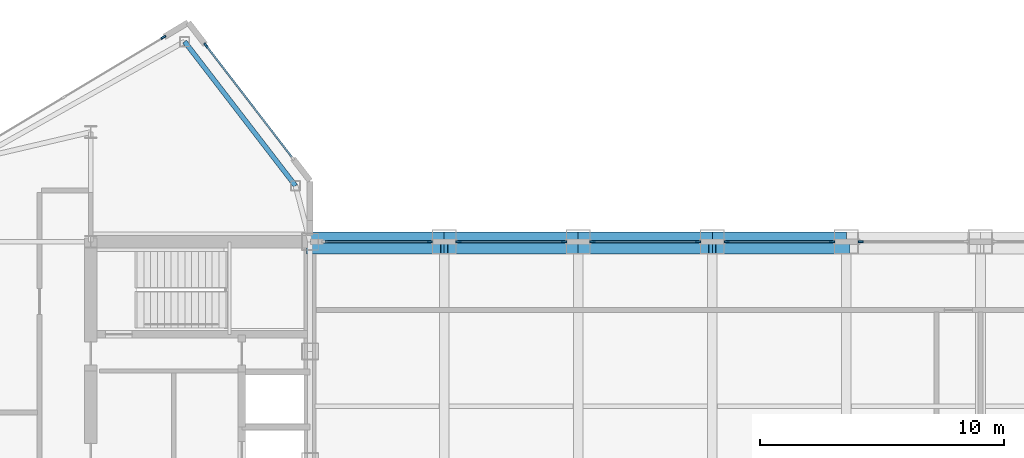
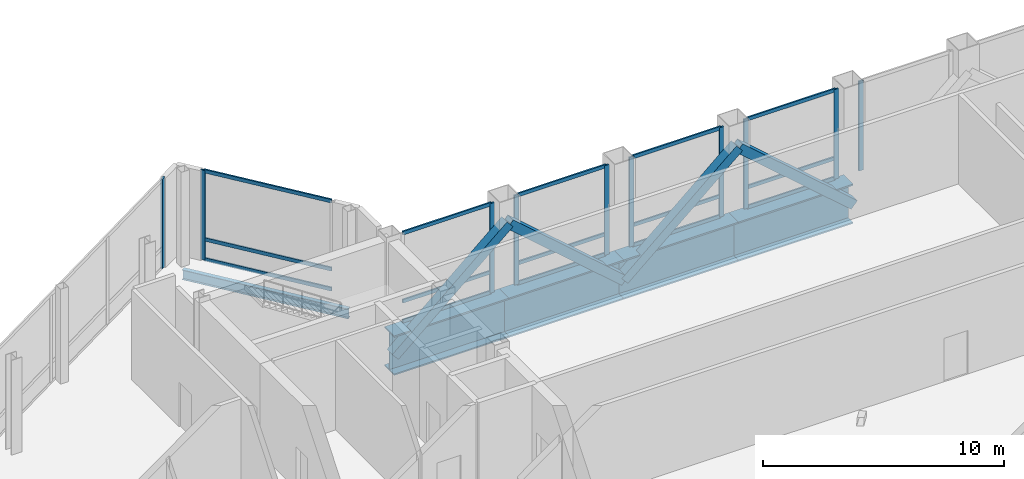
# One storey, part 12 of 29: 29 members, 5 beams, 7 elements without a shape of their own.
"""IFC4 building model written with IfcOpenShell, lengths in metres."""

from ifc_helpers import new_model, si_unit, direction, frame, origin, origin_2d, place, context, subcontext, project, spatial, rectangle, hollow_rectangle, i_section, extrude, source, transform, mapped, material, layer, layer_set, material_profile, profile_set, type_object, type_shapes, element, aggregate, save


model = new_model("IFC4")

# Units and contexts
model_context = context("Model", 3, precision=1e-05, world=origin(), true_north=direction((0.0, 1.0)))
body_context = subcontext(model_context, "Body", "Model", "MODEL_VIEW")
ifc_project = project(units=[si_unit("LENGTHUNIT", "METRE"), si_unit("AREAUNIT", "SQUARE_METRE"), si_unit("VOLUMEUNIT", "CUBIC_METRE"), si_unit("PLANEANGLEUNIT", "RADIAN"), si_unit("MASSUNIT", "GRAM", prefix="KILO")], contexts=[model_context])

# Site, building, storey
site_placement = place(None, origin())
site = spatial("IfcSite", under=ifc_project, at=site_placement, CompositionType="ELEMENT")
building_placement = place(site_placement, origin())
building = spatial("IfcBuilding", under=site, at=building_placement, Name="Seokmaru Belvedere", CompositionType="ELEMENT")
storey_placement = place(building_placement, frame((0.0, 0.0, 229.800048828125)))
storey = spatial("IfcBuildingStorey", under=building, at=storey_placement, Name="L61", CompositionType="ELEMENT", Elevation=229.800048828125)

# Beams
ifc_material_1 = material(Name="Steel SM355 (355 MPa)", Category="steel")
ifc_material_profile_1 = material_profile(ifc_material_1, i_section(OverallWidth=0.199951171875, OverallDepth=0.5, WebThickness=0.010009765625, FlangeThickness=0.01611328125, at=origin_2d()), Name="H-500x200x10x16")
ifc_profile_set_1 = profile_set([ifc_material_profile_1], Name="Steel SM355 (355 MPa)")
beam_type_1 = type_object("IfcBeamType", Name="Perimeter Spandrel Beam H-500", PredefinedType="SPANDREL", material=ifc_profile_set_1)
shared_shape_1 = source(origin(), body_context, "Body", "SweptSolid", [
    extrude(i_section(OverallWidth=0.199951171875, OverallDepth=0.5, WebThickness=0.010009765625, FlangeThickness=0.01611328125, at=origin_2d()), origin(), (0.0, 0.0, 1.0), 7.4619140625),
])
type_shapes(beam_type_1, [shared_shape_1])
beam_placement = place(storey_placement, frame((-32.649658203125, 21.71044921875, -0.510009765625), z_axis=(0.609702854945, -0.792630070507, 0.0), x_axis=(0.792630070507, 0.609702854945, 0.0)))
element("IfcBeam", 1, at=beam_placement, inside=storey, type_object=beam_type_1, Name="L61 W Shoulder Chamfer Spandrel N", PredefinedType="SPANDREL", context=body_context, shape_type="MappedRepresentation", body=[
    mapped(shared_shape_1, transform((0.0, 0.0, 0.0), scale=1.0)),
])
ifc_material_2 = material(Name="Steel HSA650 (650 MPa)", Category="steel")
ifc_material_profile_2 = material_profile(ifc_material_2, i_section(OverallWidth=0.800048828125, OverallDepth=2.0, WebThickness=0.0400390625, FlangeThickness=0.070068359375, at=origin_2d()), Name="BH-2000x800x40x70")
ifc_profile_set_2 = profile_set([ifc_material_profile_2], Name="Steel HSA650 (650 MPa)")
beam_type_2 = type_object("IfcBeamType", Name="Sky-Gate Transfer Truss Chord Girder BH-2000", PredefinedType="BEAM", material=ifc_profile_set_2)
shared_shape_2 = source(origin(), body_context, "Body", "SweptSolid", [
    extrude(i_section(OverallWidth=0.800048828125, OverallDepth=2.0, WebThickness=0.0400390625, FlangeThickness=0.070068359375, at=origin_2d()), origin(), (0.0, 0.0, 1.0), 5.5),
])
type_shapes(beam_type_2, [shared_shape_2])
for number, where, z_axis, x_axis, name in (
    (2, (-27.5, 13.5, -1.260009765625), (1.0, 0.0, 0.0), (0.0, 1.0, 0.0), "L61 Sky-Gate Transfer Truss Chord N-02"),
    (3, (-22.0, 13.5, -1.260009765625), (1.0, 0.0, 0.0), (0.0, 1.0, 0.0), "L61 Sky-Gate Transfer Truss Chord N-03"),
    (4, (-16.5, 13.5, -1.260009765625), (1.0, 0.0, 0.0), (0.0, 1.0, 0.0), "L61 Sky-Gate Transfer Truss Chord N-04"),
    (5, (-11.0, 13.5, -1.260009765625), (1.0, 0.0, 0.0), (0.0, 1.0, 0.0), "L61 Sky-Gate Transfer Truss Chord N-05"),
):
    element("IfcBeam", number, at=place(storey_placement, frame(where, z_axis=z_axis, x_axis=x_axis)), inside=storey, type_object=beam_type_2, Name=name, PredefinedType="BEAM", context=body_context, shape_type="MappedRepresentation", body=[
        mapped(shared_shape_2, transform((0.0, 0.0, 0.0), scale=1.0)),
    ])

# Members
ifc_material_profile_3 = material_profile(ifc_material_2, hollow_rectangle(XDim=0.449951171875, YDim=0.449951171875, WallThickness=0.01806640625, at=origin_2d()), Name="HSS-450x450x18")
ifc_profile_set_3 = profile_set([ifc_material_profile_3], Name="Steel HSA650 (650 MPa)")
member_type_1 = type_object("IfcMemberType", Name="Sky-Gate Transfer Truss Web Diagonal HSS-450", PredefinedType="BRACE", material=ifc_profile_set_3)
shared_shape_3 = source(origin(), body_context, "Body", "SweptSolid", [
    extrude(hollow_rectangle(XDim=0.449951171875, YDim=0.449951171875, WallThickness=0.01806640625, at=origin_2d()), origin(), (0.0, 0.0, 1.0), 7.300048828125),
])
type_shapes(member_type_1, [shared_shape_3])
for number, where, z_axis, x_axis, name in (
    (6, (-27.5, 13.22412109375, -1.260009765625), (0.753421343899, 0.0, 0.65753804343), (0.0, 1.0, 0.0), "L61 Sky-Gate Transfer Truss Web Diagonal N-01"),
    (7, (-22.0, 13.22412109375, 3.5400390625), (0.753421343899, 0.0, -0.65753804343), (0.0, 1.0, 0.0), "L61 Sky-Gate Transfer Truss Web Diagonal N-02"),
    (8, (-16.5, 13.22412109375, -1.260009765625), (0.753421343899, 0.0, 0.65753804343), (0.0, 1.0, 0.0), "L61 Sky-Gate Transfer Truss Web Diagonal N-03"),
    (9, (-11.0, 13.22412109375, 3.5400390625), (0.753421343899, 0.0, -0.65753804343), (0.0, 1.0, 0.0), "L61 Sky-Gate Transfer Truss Web Diagonal N-04"),
):
    element("IfcMember", number, at=place(storey_placement, frame(where, z_axis=z_axis, x_axis=x_axis)), inside=storey, type_object=member_type_1, Name=name, PredefinedType="BRACE", context=body_context, shape_type="MappedRepresentation", body=[
        mapped(shared_shape_3, transform((0.0, 0.0, 0.0), scale=1.0)),
    ])

# Curtain wall, member
ifc_material_3 = material(Name="Bronze Triple Insulating Glass", Category="glass")
ifc_layer = layer(ifc_material_3, 0.219970703125)
ifc_layer_set = layer_set([ifc_layer], Name="Bronze Triple Insulating Glass")
curtain_wall_type = type_object("IfcCurtainWallType", Name="Sky-Gate Bridge Panorama Curtain Wall System CW-6", PredefinedType="NOTDEFINED", material=ifc_layer_set)
curtain_wall_1_placement = place(storey_placement, origin())
curtain_wall_1 = element("IfcCurtainWall", 10, at=curtain_wall_1_placement, inside=storey, type_object=curtain_wall_type, Name="L61 Curtain Wall WF2", PredefinedType="NOTDEFINED")
ifc_material_4 = material(Name="Anodised Bronze Aluminium", Category="aluminium")
ifc_material_profile_4 = material_profile(ifc_material_4, rectangle(XDim=0.080078125, YDim=0.219970703125, at=origin_2d()), Name="CW-M-80x220")
ifc_profile_set_4 = profile_set([ifc_material_profile_4], Name="Anodised Bronze Aluminium")
member_type_2 = type_object("IfcMemberType", Name="Bronze Unitised Mullion 80x220", PredefinedType="MULLION", material=ifc_profile_set_4)
shared_shape_4 = source(origin(), body_context, "Body", "SweptSolid", [
    extrude(rectangle(XDim=0.080078125, YDim=0.219970703125, at=origin_2d()), origin(), (0.0, 0.0, 1.0), 4.5400390625),
])
type_shapes(member_type_2, [shared_shape_4])
member_1_placement = place(storey_placement, frame((-31.7744140625, 21.556884765625, 0.0), z_axis=(0.0, 0.0, 1.0), x_axis=(-0.792631353244, -0.609701187349, 0.0)))
member_1 = element("IfcMember", 11, at=member_1_placement, type_object=member_type_2, Name="CW:L61:WF2 Mullion 2", PredefinedType="MULLION", context=body_context, shape_type="MappedRepresentation", body=[
    mapped(shared_shape_4, transform((0.0, 0.0, 0.0), scale=1.0)),
])

curtain_wall_2_placement = place(storey_placement, origin())
curtain_wall_2 = element("IfcCurtainWall", 12, at=curtain_wall_2_placement, inside=storey, type_object=curtain_wall_type, Name="L61 Curtain Wall WF3", PredefinedType="NOTDEFINED")
member_2_placement = place(storey_placement, frame((-33.5205078125, 21.8876953125, 0.0), z_axis=(0.0, 0.0, 1.0), x_axis=(0.514494909364, -0.85749343335, 0.0)))
member_2 = element("IfcMember", 13, at=member_2_placement, type_object=member_type_2, Name="CW:L61:WF3 Mullion 1", PredefinedType="MULLION", context=body_context, shape_type="MappedRepresentation", body=[
    mapped(shared_shape_4, transform((0.0, 0.0, 0.0), scale=1.0)),
])
aggregate(curtain_wall_2, [member_2])

curtain_wall_3_placement = place(storey_placement, origin())
curtain_wall_3 = element("IfcCurtainWall", 14, at=curtain_wall_3_placement, inside=storey, type_object=curtain_wall_type, Name="L61 Curtain Wall BR_N01", PredefinedType="NOTDEFINED")
member_3_placement = place(storey_placement, frame((-22.590087890625, 13.5, 0.0), z_axis=(0.0, 0.0, 1.0), x_axis=(0.0, -1.0, 0.0)))
member_3 = element("IfcMember", 15, at=member_3_placement, type_object=member_type_2, Name="CW:L61:BR_N01 Mullion 1", PredefinedType="MULLION", context=body_context, shape_type="MappedRepresentation", body=[
    mapped(shared_shape_4, transform((0.0, 0.0, 0.0), scale=1.0)),
])

# Curtain wall, members
curtain_wall_4_placement = place(storey_placement, origin())
curtain_wall_4 = element("IfcCurtainWall", 16, at=curtain_wall_4_placement, inside=storey, type_object=curtain_wall_type, Name="L61 Curtain Wall BR_N02", PredefinedType="NOTDEFINED")
member_4_placement = place(storey_placement, frame((-17.090087890625, 13.5, 0.0), z_axis=(0.0, 0.0, 1.0), x_axis=(0.0, -1.0, 0.0)))
member_4 = element("IfcMember", 17, at=member_4_placement, type_object=member_type_2, Name="CW:L61:BR_N02 Mullion 1", PredefinedType="MULLION", context=body_context, shape_type="MappedRepresentation", body=[
    mapped(shared_shape_4, transform((0.0, 0.0, 0.0), scale=1.0)),
])
member_5_placement = place(storey_placement, frame((-21.409912109375, 13.5, 0.0), z_axis=(0.0, 0.0, 1.0), x_axis=(0.0, -1.0, 0.0)))
member_5 = element("IfcMember", 18, at=member_5_placement, type_object=member_type_2, Name="CW:L61:BR_N02 Mullion 2", PredefinedType="MULLION", context=body_context, shape_type="MappedRepresentation", body=[
    mapped(shared_shape_4, transform((0.0, 0.0, 0.0), scale=1.0)),
])

curtain_wall_5_placement = place(storey_placement, origin())
curtain_wall_5 = element("IfcCurtainWall", 19, at=curtain_wall_5_placement, inside=storey, type_object=curtain_wall_type, Name="L61 Curtain Wall BR_N03", PredefinedType="NOTDEFINED")
member_6_placement = place(storey_placement, frame((-11.590087890625, 13.5, 0.0), z_axis=(0.0, 0.0, 1.0), x_axis=(0.0, -1.0, 0.0)))
member_6 = element("IfcMember", 20, at=member_6_placement, type_object=member_type_2, Name="CW:L61:BR_N03 Mullion 1", PredefinedType="MULLION", context=body_context, shape_type="MappedRepresentation", body=[
    mapped(shared_shape_4, transform((0.0, 0.0, 0.0), scale=1.0)),
])
member_7_placement = place(storey_placement, frame((-15.909912109375, 13.5, 0.0), z_axis=(0.0, 0.0, 1.0), x_axis=(0.0, -1.0, 0.0)))
member_7 = element("IfcMember", 21, at=member_7_placement, type_object=member_type_2, Name="CW:L61:BR_N03 Mullion 2", PredefinedType="MULLION", context=body_context, shape_type="MappedRepresentation", body=[
    mapped(shared_shape_4, transform((0.0, 0.0, 0.0), scale=1.0)),
])

curtain_wall_6_placement = place(storey_placement, origin())
curtain_wall_6 = element("IfcCurtainWall", 22, at=curtain_wall_6_placement, inside=storey, type_object=curtain_wall_type, Name="L61 Curtain Wall BR_N04", PredefinedType="NOTDEFINED")
member_8_placement = place(storey_placement, frame((-6.090087890625, 13.5, 0.0), z_axis=(0.0, 0.0, 1.0), x_axis=(0.0, -1.0, 0.0)))
member_8 = element("IfcMember", 23, at=member_8_placement, type_object=member_type_2, Name="CW:L61:BR_N04 Mullion 1", PredefinedType="MULLION", context=body_context, shape_type="MappedRepresentation", body=[
    mapped(shared_shape_4, transform((0.0, 0.0, 0.0), scale=1.0)),
])
member_9_placement = place(storey_placement, frame((-10.409912109375, 13.5, 0.0), z_axis=(0.0, 0.0, 1.0), x_axis=(0.0, -1.0, 0.0)))
member_9 = element("IfcMember", 24, at=member_9_placement, type_object=member_type_2, Name="CW:L61:BR_N04 Mullion 2", PredefinedType="MULLION", context=body_context, shape_type="MappedRepresentation", body=[
    mapped(shared_shape_4, transform((0.0, 0.0, 0.0), scale=1.0)),
])

# Curtain wall, member
curtain_wall_7_placement = place(storey_placement, origin())
curtain_wall_7 = element("IfcCurtainWall", 25, at=curtain_wall_7_placement, inside=storey, type_object=curtain_wall_type, Name="L61 Curtain Wall BR_N05", PredefinedType="NOTDEFINED")
member_10_placement = place(storey_placement, frame((-4.909912109375, 13.5, 0.0), z_axis=(0.0, 0.0, 1.0), x_axis=(0.0, -1.0, 0.0)))
member_10 = element("IfcMember", 26, at=member_10_placement, type_object=member_type_2, Name="CW:L61:BR_N05 Mullion 2", PredefinedType="MULLION", context=body_context, shape_type="MappedRepresentation", body=[
    mapped(shared_shape_4, transform((0.0, 0.0, 0.0), scale=1.0)),
])
aggregate(curtain_wall_7, [member_10])

# Member
ifc_material_profile_5 = material_profile(ifc_material_4, rectangle(XDim=0.074951171875, YDim=0.179931640625, at=origin_2d()), Name="CW-T-75x180")
ifc_profile_set_5 = profile_set([ifc_material_profile_5], Name="Anodised Bronze Aluminium")
member_type_3 = type_object("IfcMemberType", Name="Bronze Unitised Transom 75x180", PredefinedType="USERDEFINED", material=ifc_profile_set_5)
shared_shape_5 = source(origin(), body_context, "Body", "SweptSolid", [
    extrude(rectangle(XDim=0.074951171875, YDim=0.179931640625, at=origin_2d()), origin(), (0.0, 0.0, 1.0), 5.74072265625),
])
member_11_placement = place(storey_placement, frame((-28.25, 16.974853515625, 0.037353515625), z_axis=(-0.609686097287, 0.792642960465, 0.0), x_axis=(-0.792642960465, -0.609686097287, 0.0)))
member_11 = element("IfcMember", 27, at=member_11_placement, type_object=member_type_3, Name="CW:L61:WF2 Continuous Transom 1", ObjectType="TRANSOM", PredefinedType="USERDEFINED", context=body_context, shape_type="MappedRepresentation", body=[
    mapped(shared_shape_5, transform((0.0, 0.0, 0.0), scale=1.0)),
])

member_12_placement = place(storey_placement, frame((-28.25, 16.974853515625, 4.50244140625), z_axis=(-0.609686097287, 0.792642960465, 0.0), x_axis=(-0.792642960465, -0.609686097287, 0.0)))
member_12 = element("IfcMember", 28, at=member_12_placement, type_object=member_type_3, Name="CW:L61:WF2 Continuous Transom 2", ObjectType="TRANSOM", PredefinedType="USERDEFINED", context=body_context, shape_type="MappedRepresentation", body=[
    mapped(shared_shape_5, transform((0.0, 0.0, 0.0), scale=1.0)),
])

member_13_placement = place(storey_placement, frame((-28.25, 16.974853515625, 1.050048828125), z_axis=(-0.609686097287, 0.792642960465, 0.0), x_axis=(-0.792642960465, -0.609686097287, 0.0)))
member_13 = element("IfcMember", 29, at=member_13_placement, type_object=member_type_3, Name="CW:L61:WF2 Spandrel Transom 1", ObjectType="TRANSOM", PredefinedType="USERDEFINED", context=body_context, shape_type="MappedRepresentation", body=[
    mapped(shared_shape_5, transform((0.0, 0.0, 0.0), scale=1.0)),
])

aggregate(curtain_wall_1, [member_1, member_11, member_12, member_13])

shared_shape_6 = source(origin(), body_context, "Body", "SweptSolid", [
    extrude(rectangle(XDim=0.074951171875, YDim=0.179931640625, at=origin_2d()), origin(), (0.0, 0.0, 1.0), 4.240234375),
])
type_shapes(member_type_3, [shared_shape_5, shared_shape_6])
member_14_placement = place(storey_placement, frame((-22.6298828125, 13.5, 0.037353515625), z_axis=(-1.0, 0.0, 0.0), x_axis=(0.0, -1.0, 0.0)))
member_14 = element("IfcMember", 30, at=member_14_placement, type_object=member_type_3, Name="CW:L61:BR_N01 Continuous Transom 1", ObjectType="TRANSOM", PredefinedType="USERDEFINED", context=body_context, shape_type="MappedRepresentation", body=[
    mapped(shared_shape_6, transform((0.0, 0.0, 0.0), scale=1.0)),
])

member_15_placement = place(storey_placement, frame((-22.6298828125, 13.5, 4.50244140625), z_axis=(-1.0, 0.0, 0.0), x_axis=(0.0, -1.0, 0.0)))
member_15 = element("IfcMember", 31, at=member_15_placement, type_object=member_type_3, Name="CW:L61:BR_N01 Continuous Transom 2", ObjectType="TRANSOM", PredefinedType="USERDEFINED", context=body_context, shape_type="MappedRepresentation", body=[
    mapped(shared_shape_6, transform((0.0, 0.0, 0.0), scale=1.0)),
])

member_16_placement = place(storey_placement, frame((-22.6298828125, 13.5, 1.050048828125), z_axis=(-1.0, 0.0, 0.0), x_axis=(0.0, -1.0, 0.0)))
member_16 = element("IfcMember", 32, at=member_16_placement, type_object=member_type_3, Name="CW:L61:BR_N01 Spandrel Transom 1", ObjectType="TRANSOM", PredefinedType="USERDEFINED", context=body_context, shape_type="MappedRepresentation", body=[
    mapped(shared_shape_6, transform((0.0, 0.0, 0.0), scale=1.0)),
])

aggregate(curtain_wall_3, [member_3, member_14, member_15, member_16])

member_17_placement = place(storey_placement, frame((-17.1298828125, 13.5, 0.037353515625), z_axis=(-1.0, 0.0, 0.0), x_axis=(0.0, -1.0, 0.0)))
member_17 = element("IfcMember", 33, at=member_17_placement, type_object=member_type_3, Name="CW:L61:BR_N02 Continuous Transom 1", ObjectType="TRANSOM", PredefinedType="USERDEFINED", context=body_context, shape_type="MappedRepresentation", body=[
    mapped(shared_shape_6, transform((0.0, 0.0, 0.0), scale=1.0)),
])

member_18_placement = place(storey_placement, frame((-17.1298828125, 13.5, 4.50244140625), z_axis=(-1.0, 0.0, 0.0), x_axis=(0.0, -1.0, 0.0)))
member_18 = element("IfcMember", 34, at=member_18_placement, type_object=member_type_3, Name="CW:L61:BR_N02 Continuous Transom 2", ObjectType="TRANSOM", PredefinedType="USERDEFINED", context=body_context, shape_type="MappedRepresentation", body=[
    mapped(shared_shape_6, transform((0.0, 0.0, 0.0), scale=1.0)),
])

member_19_placement = place(storey_placement, frame((-17.1298828125, 13.5, 1.050048828125), z_axis=(-1.0, 0.0, 0.0), x_axis=(0.0, -1.0, 0.0)))
member_19 = element("IfcMember", 35, at=member_19_placement, type_object=member_type_3, Name="CW:L61:BR_N02 Spandrel Transom 1", ObjectType="TRANSOM", PredefinedType="USERDEFINED", context=body_context, shape_type="MappedRepresentation", body=[
    mapped(shared_shape_6, transform((0.0, 0.0, 0.0), scale=1.0)),
])

aggregate(curtain_wall_4, [member_4, member_5, member_17, member_18, member_19])

member_20_placement = place(storey_placement, frame((-11.6298828125, 13.5, 0.037353515625), z_axis=(-1.0, 0.0, 0.0), x_axis=(0.0, -1.0, 0.0)))
member_20 = element("IfcMember", 36, at=member_20_placement, type_object=member_type_3, Name="CW:L61:BR_N03 Continuous Transom 1", ObjectType="TRANSOM", PredefinedType="USERDEFINED", context=body_context, shape_type="MappedRepresentation", body=[
    mapped(shared_shape_6, transform((0.0, 0.0, 0.0), scale=1.0)),
])

member_21_placement = place(storey_placement, frame((-11.6298828125, 13.5, 4.50244140625), z_axis=(-1.0, 0.0, 0.0), x_axis=(0.0, -1.0, 0.0)))
member_21 = element("IfcMember", 37, at=member_21_placement, type_object=member_type_3, Name="CW:L61:BR_N03 Continuous Transom 2", ObjectType="TRANSOM", PredefinedType="USERDEFINED", context=body_context, shape_type="MappedRepresentation", body=[
    mapped(shared_shape_6, transform((0.0, 0.0, 0.0), scale=1.0)),
])

member_22_placement = place(storey_placement, frame((-11.6298828125, 13.5, 1.050048828125), z_axis=(-1.0, 0.0, 0.0), x_axis=(0.0, -1.0, 0.0)))
member_22 = element("IfcMember", 38, at=member_22_placement, type_object=member_type_3, Name="CW:L61:BR_N03 Spandrel Transom 1", ObjectType="TRANSOM", PredefinedType="USERDEFINED", context=body_context, shape_type="MappedRepresentation", body=[
    mapped(shared_shape_6, transform((0.0, 0.0, 0.0), scale=1.0)),
])

aggregate(curtain_wall_5, [member_6, member_7, member_20, member_21, member_22])

member_23_placement = place(storey_placement, frame((-6.1298828125, 13.5, 0.037353515625), z_axis=(-1.0, 0.0, 0.0), x_axis=(0.0, -1.0, 0.0)))
member_23 = element("IfcMember", 39, at=member_23_placement, type_object=member_type_3, Name="CW:L61:BR_N04 Continuous Transom 1", ObjectType="TRANSOM", PredefinedType="USERDEFINED", context=body_context, shape_type="MappedRepresentation", body=[
    mapped(shared_shape_6, transform((0.0, 0.0, 0.0), scale=1.0)),
])

member_24_placement = place(storey_placement, frame((-6.1298828125, 13.5, 4.50244140625), z_axis=(-1.0, 0.0, 0.0), x_axis=(0.0, -1.0, 0.0)))
member_24 = element("IfcMember", 40, at=member_24_placement, type_object=member_type_3, Name="CW:L61:BR_N04 Continuous Transom 2", ObjectType="TRANSOM", PredefinedType="USERDEFINED", context=body_context, shape_type="MappedRepresentation", body=[
    mapped(shared_shape_6, transform((0.0, 0.0, 0.0), scale=1.0)),
])

member_25_placement = place(storey_placement, frame((-6.1298828125, 13.5, 1.050048828125), z_axis=(-1.0, 0.0, 0.0), x_axis=(0.0, -1.0, 0.0)))
member_25 = element("IfcMember", 41, at=member_25_placement, type_object=member_type_3, Name="CW:L61:BR_N04 Spandrel Transom 1", ObjectType="TRANSOM", PredefinedType="USERDEFINED", context=body_context, shape_type="MappedRepresentation", body=[
    mapped(shared_shape_6, transform((0.0, 0.0, 0.0), scale=1.0)),
])

aggregate(curtain_wall_6, [member_8, member_9, member_23, member_24, member_25])

save(model, "model.ifc")
